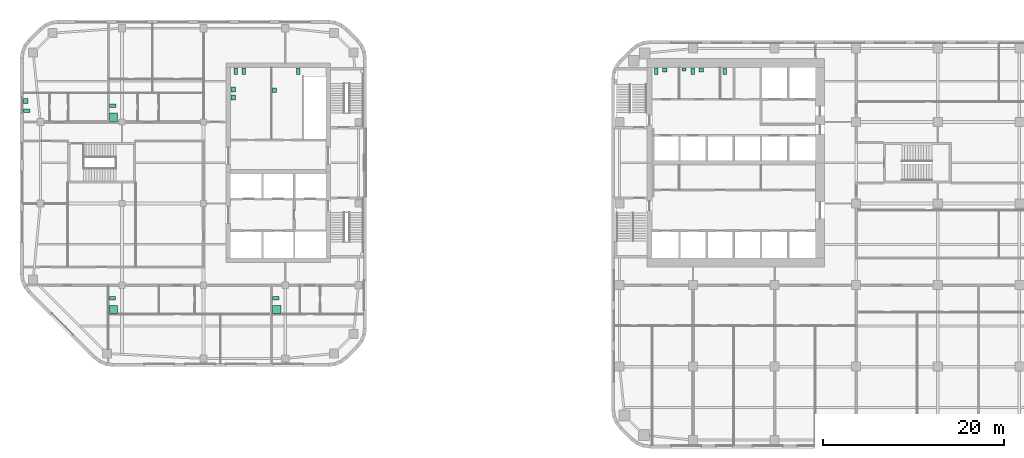
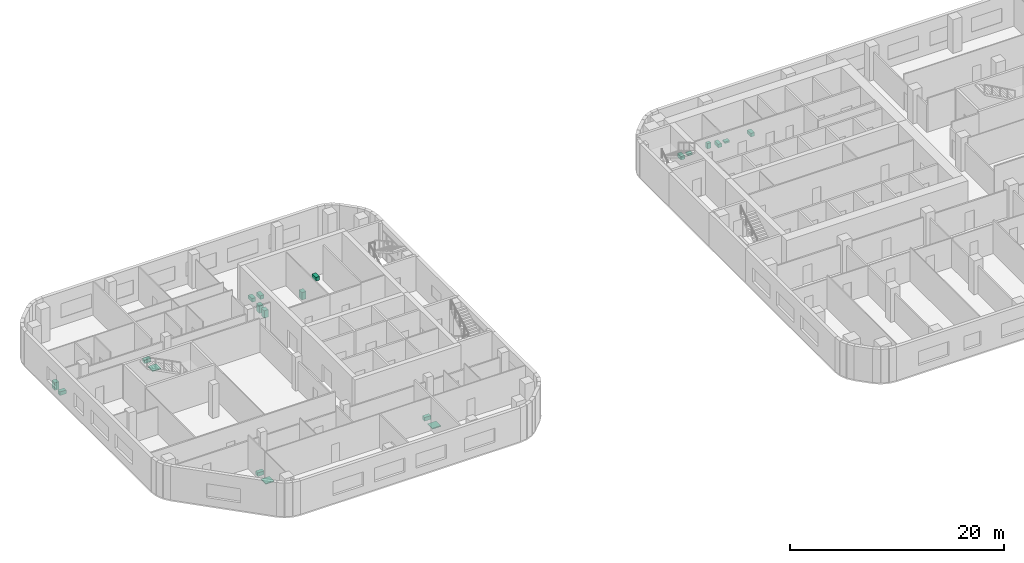
# One storey, part 16 of 16: 20 sanitary terminals.
"""IFC4 building model written with IfcOpenShell, lengths in metres."""

import ifcopenshell
import ifcopenshell.guid

model = None  # the IFC model being written
_history = None  # IfcOwnerHistory: only IFC2X3 demands one
_inside = {}  # id of a spatial element -> (the spatial element, [elements in it])
_under = {}  # id of a project, library or spatial element -> (it, [spatial elements below it])
_declared = {}  # id of a project -> (the project, [libraries it declares])
_typed = {}  # id of a type object -> (the type object, [elements of that type])
_made_of = {}  # id of a material, layer set ... -> (it, [elements and type objects made of it])


def new_model(schema):
    """Start an empty IFC model of exactly this schema.

    Asked for "IFC4X3", IfcOpenShell would pick the latest addendum, in which some entities
    have other attributes; the version numbers below select the first issue.
    IFC2X3 requires an IfcOwnerHistory on every rooted entity: one is made here for all.
    """
    global model, _history
    if schema == "IFC4X3":
        model = ifcopenshell.file(schema_version=(4, 3, 0, 0))
    else:
        model = ifcopenshell.file(schema=schema)
    _inside.clear()
    _under.clear()
    _declared.clear()
    _typed.clear()
    _made_of.clear()
    _history = None
    if model.schema == "IFC2X3":
        org = make("IfcOrganization", Name="unknown")
        user = make(
            "IfcPersonAndOrganization",
            ThePerson=make("IfcPerson", FamilyName="unknown"),
            TheOrganization=org,
        )
        app = make(
            "IfcApplication",
            ApplicationDeveloper=org,
            Version="unknown",
            ApplicationFullName="unknown",
            ApplicationIdentifier="unknown",
        )
        _history = make(
            "IfcOwnerHistory",
            OwningUser=user,
            OwningApplication=app,
            ChangeAction="ADDED",
            CreationDate=0,
        )
    return model


def make(cls, **values):
    """One entity of the class cls with the attributes given. An attribute that is None is left unset."""
    return model.create_entity(
        cls, **{name: value for name, value in values.items() if value is not None}
    )


def rooted(cls, **values):
    """An entity with a GlobalId (a new one), such as an element, a storey or a relation."""
    return make(cls, GlobalId=ifcopenshell.guid.new(), OwnerHistory=_history, **values)


def si_unit(unit_type, name, prefix=None):
    """IfcSIUnit, for example si_unit("LENGTHUNIT", "METRE", prefix="MILLI")."""
    return make("IfcSIUnit", UnitType=unit_type, Prefix=prefix, Name=name)


def assignment(units):
    """IfcUnitAssignment: the units of a project."""
    return None if units is None else make("IfcUnitAssignment", Units=units)


def point(xyz):
    """IfcCartesianPoint."""
    return None if xyz is None else make("IfcCartesianPoint", Coordinates=xyz)


def direction(xyz):
    """IfcDirection."""
    return None if xyz is None else make("IfcDirection", DirectionRatios=xyz)


def frame(location, z_axis=None, x_axis=None):
    """IfcAxis2Placement3D, a coordinate frame: its origin and axes. An axis left out is left unset."""
    return make(
        "IfcAxis2Placement3D",
        Location=point(location),
        Axis=direction(z_axis),
        RefDirection=direction(x_axis),
    )


def frame_2d(location, x_axis=None):
    """IfcAxis2Placement2D, a coordinate frame in the plane: its origin and x axis."""
    return make(
        "IfcAxis2Placement2D", Location=point(location), RefDirection=direction(x_axis)
    )


def origin():
    """The frame at (0, 0, 0) with its axes left unset."""
    return frame((0.0, 0.0, 0.0))


def origin_2d():
    """The frame at (0, 0) in the plane with its x axis left unset."""
    return frame_2d((0.0, 0.0))


def place(relative_to, where):
    """IfcLocalPlacement: puts the frame where relative to a parent placement (None: the world)."""
    return make(
        "IfcLocalPlacement", PlacementRelTo=relative_to, RelativePlacement=where
    )


def context(
    kind, dimensions, precision=None, world=None, true_north=None, identifier=None
):
    """IfcGeometricRepresentationContext, for example the 3D "Model" context."""
    return make(
        "IfcGeometricRepresentationContext",
        ContextIdentifier=identifier,
        ContextType=kind,
        CoordinateSpaceDimension=dimensions,
        Precision=precision,
        WorldCoordinateSystem=world,
        TrueNorth=true_north,
    )


def subcontext(parent, identifier, kind, view, scale=None):
    """IfcGeometricRepresentationSubContext, for example "Body" below "Model"."""
    return make(
        "IfcGeometricRepresentationSubContext",
        ContextIdentifier=identifier,
        ContextType=kind,
        ParentContext=parent,
        TargetScale=scale,
        TargetView=view,
    )


def project(units=None, contexts=None):
    """IfcProject with its units and contexts."""
    return rooted(
        "IfcProject",
        Name="project",
        RepresentationContexts=contexts,
        UnitsInContext=assignment(units),
    )


def spatial(cls, under=None, at=None, **own):
    """A site, building, storey or space (cls), placed at a placement, below another one or the project."""
    s = rooted(cls, ObjectPlacement=at, **own)
    if under is not None:
        _under.setdefault(under.id(), (under, []))[1].append(s)
    return s


def profile(cls, at=None, kind="AREA", **sizes):
    """A parametric profile (cls). Its sizes go by their IFC names, for example OverallWidth=200.0."""
    return make(cls, ProfileType=kind, Position=at, **sizes)


def rectangle(**sizes):
    """IfcRectangleProfileDef."""
    return profile("IfcRectangleProfileDef", **sizes)


def extrude(swept, where, along, depth):
    """IfcExtrudedAreaSolid: the profile swept, set in the frame where, extruded along a direction by depth."""
    return make(
        "IfcExtrudedAreaSolid",
        SweptArea=swept,
        Position=where,
        ExtrudedDirection=direction(along),
        Depth=depth,
    )


def shape(context_of_items, identifier, shape_type, items):
    """IfcShapeRepresentation: the items that make up one representation, for example the "Body"."""
    return make(
        "IfcShapeRepresentation",
        ContextOfItems=context_of_items,
        RepresentationIdentifier=identifier,
        RepresentationType=shape_type,
        Items=items,
    )


def material(Name=None, Category=None):
    """IfcMaterial."""
    return make("IfcMaterial", Name=Name, Category=Category)


def made_of(thing, what):
    """Note that an element or type object is made of a material, layer set ...; save() writes the relation."""
    if what is not None:
        _made_of.setdefault(what.id(), (what, []))[1].append(thing)
    return thing


def type_object(cls, material=None, **own):
    """A type object (cls), such as IfcWallType, which elements share."""
    return made_of(rooted(cls, **own), material)


def element(
    cls,
    number,
    at=None,
    inside=None,
    cuts=None,
    type_object=None,
    material=None,
    context=None,
    identifier="Body",
    shape_type=None,
    held_by="IfcProductDefinitionShape",
    body=None,
    shapes=None,
    **own,
):
    """One element of the class cls, such as IfcWall. Its Tag is "e" and its number.

    at: its placement. inside: the storey or other place that contains it. cuts: it is an
    opening in that element (IfcRelVoidsElement). A single representation is given by context,
    identifier, shape_type and body (its items); several are given by shapes. held_by: the class
    of the entity that holds the representations. save() writes the other relations.
    """
    e = rooted(cls, Tag="e%d" % number, ObjectPlacement=at, **own)
    if body is not None:
        shapes = [shape(context, identifier, shape_type, body)]
    if shapes is not None:
        e.Representation = make(held_by, Representations=shapes)
    if inside is not None:
        _inside.setdefault(inside.id(), (inside, []))[1].append(e)
    if cuts is not None:
        rooted(
            "IfcRelVoidsElement", RelatingBuildingElement=cuts, RelatedOpeningElement=e
        )
    if type_object is not None:
        _typed.setdefault(type_object.id(), (type_object, []))[1].append(e)
    return made_of(e, material)


def aggregate(whole, parts):
    """IfcRelAggregates: a whole, such as a stair, and the parts it consists of."""
    return rooted("IfcRelAggregates", RelatingObject=whole, RelatedObjects=parts)


def save(model, path):
    """Write the relations noted so far, then the file.

    IfcRelAggregates (storeys below a building ...), IfcRelContainedInSpatialStructure (elements
    in a storey), IfcRelDefinesByType, IfcRelAssociatesMaterial and IfcRelDeclares: one each for
    every whole, place, type object, material and project.
    """
    for whole, parts in _under.values():
        aggregate(whole, parts)
    for where, things in _inside.values():
        rooted(
            "IfcRelContainedInSpatialStructure",
            RelatedElements=things,
            RelatingStructure=where,
        )
    for kind, things in _typed.values():
        rooted("IfcRelDefinesByType", RelatedObjects=things, RelatingType=kind)
    for what, things in _made_of.values():
        rooted("IfcRelAssociatesMaterial", RelatedObjects=things, RelatingMaterial=what)
    for by, libraries in _declared.values():
        rooted("IfcRelDeclares", RelatingContext=by, RelatedDefinitions=libraries)
    model.write(path)


model = new_model("IFC4")

# Units and contexts
model_context = context("Model", 3, precision=1e-05, world=origin(), true_north=direction((0.0, 1.0)))
body_context = subcontext(model_context, "Body", "Model", "MODEL_VIEW")
ifc_project = project(units=[si_unit("LENGTHUNIT", "METRE"), si_unit("AREAUNIT", "SQUARE_METRE"), si_unit("VOLUMEUNIT", "CUBIC_METRE"), si_unit("PLANEANGLEUNIT", "RADIAN"), si_unit("MASSUNIT", "GRAM", prefix="KILO")], contexts=[model_context])

# Site, building, storey
site_placement = place(None, origin())
site = spatial("IfcSite", under=ifc_project, at=site_placement, CompositionType="ELEMENT")
building_placement = place(site_placement, origin())
building = spatial("IfcBuilding", under=site, at=building_placement, Name="Cinnabar Reach Civic Tower", CompositionType="ELEMENT")
storey_placement = place(building_placement, frame((0.0, 0.0, 83.0)))
storey = spatial("IfcBuildingStorey", under=building, at=storey_placement, Name="L19", CompositionType="ELEMENT", Elevation=83.0)

# Sanitary terminals
ifc_material_1 = material(Name="Vitreous china")
sanitary_terminal_type_1 = type_object("IfcSanitaryTerminalType", Name="T1 WC pan", PredefinedType="TOILETPAN", material=ifc_material_1)
for number, where, z_axis, x_axis, name in (
    (1, (4.95, 41.6, 0.0), (0.0, 0.0, 1.0), (1.0, 0.0, 0.0), "T1 WC pan 1907-1"),
    (2, (8.95, 41.6, 0.0), (0.0, 0.0, 1.0), (1.0, 0.0, 0.0), "T1 WC pan 1908-2"),
    (3, (12.5, 41.6, 0.0), (0.0, 0.0, 1.0), (1.0, 0.0, 0.0), "T1 WC pan 1909-1"),
):
    element("IfcSanitaryTerminal", number, at=place(storey_placement, frame(where, z_axis=z_axis, x_axis=x_axis)), inside=storey, type_object=sanitary_terminal_type_1, Name=name, PredefinedType="TOILETPAN", context=body_context, shape_type="SweptSolid", body=[
        extrude(rectangle(XDim=0.4, YDim=0.7, at=origin_2d()), origin(), (0.0, 0.0, 1.0), 0.4),
    ])
sanitary_terminal_type_2 = type_object("IfcSanitaryTerminalType", Name="T1 urinal", PredefinedType="URINAL", material=ifc_material_1)
sanitary_terminal_placement = place(storey_placement, frame((8.0, 41.775, 0.0), z_axis=(0.0, 0.0, 1.0), x_axis=(1.0, 0.0, 0.0)))
element("IfcSanitaryTerminal", 4, at=sanitary_terminal_placement, inside=storey, type_object=sanitary_terminal_type_2, Name="T1 urinal 1908-1", PredefinedType="URINAL", context=body_context, shape_type="SweptSolid", body=[
    extrude(rectangle(XDim=0.4, YDim=0.35, at=origin_2d()), origin(), (0.0, 0.0, 1.0), 0.6),
])
sanitary_terminal_type_3 = type_object("IfcSanitaryTerminalType", Name="T1 wash basin", PredefinedType="WASHHANDBASIN", material=ifc_material_1)
for number, where, z_axis, x_axis, name in (
    (5, (5.9, 41.74, 0.0), (0.0, 0.0, 1.0), (1.0, 0.0, 0.0), "T1 wash basin 1907-2"),
    (6, (9.9, 41.74, 0.0), (0.0, 0.0, 1.0), (1.0, 0.0, 0.0), "T1 wash basin 1908-3"),
):
    element("IfcSanitaryTerminal", number, at=place(storey_placement, frame(where, z_axis=z_axis, x_axis=x_axis)), inside=storey, type_object=sanitary_terminal_type_3, Name=name, PredefinedType="WASHHANDBASIN", context=body_context, shape_type="SweptSolid", body=[
        extrude(rectangle(XDim=0.5, YDim=0.42, at=origin_2d()), origin(), (0.0, 0.0, 1.0), 0.2),
    ])
ifc_material_2 = material(Name="Acrylic tray")
sanitary_terminal_type_4 = type_object("IfcSanitaryTerminalType", Name="T2 Shower tray", PredefinedType="SHOWER", material=ifc_material_2)
for number, where, z_axis, x_axis, name in (
    (7, (-54.95, 15.3, 0.0), (0.0, 0.0, 1.0), (1.0, 0.0, 0.0), "Shower tray"),
    (8, (-36.925, 15.3, 0.0), (0.0, 0.0, 1.0), (1.0, 0.0, 0.0), "Shower tray"),
    (9, (-54.925, 36.525, 0.0), (0.0, 0.0, 1.0), (1.0, 0.0, 0.0), "Shower tray"),
):
    element("IfcSanitaryTerminal", number, at=place(storey_placement, frame(where, z_axis=z_axis, x_axis=x_axis)), inside=storey, type_object=sanitary_terminal_type_4, Name=name, PredefinedType="SHOWER", context=body_context, shape_type="SweptSolid", body=[
        extrude(rectangle(XDim=0.9, YDim=0.9, at=origin_2d()), origin(), (0.0, 0.0, 1.0), 0.1),
    ])
sanitary_terminal_type_5 = type_object("IfcSanitaryTerminalType", Name="T2 WC pan", PredefinedType="TOILETPAN", material=ifc_material_1)
for number, where, z_axis, x_axis, name in (
    (10, (-41.45, 41.6, 0.0), (0.0, 0.0, 1.0), (1.0, 0.0, 0.0), "WC pan"),
    (11, (-40.55, 41.6, 0.0), (0.0, 0.0, 1.0), (1.0, 0.0, 0.0), "WC pan"),
    (12, (-34.55, 41.6, 0.0), (0.0, 0.0, 1.0), (1.0, 0.0, 0.0), "WC pan"),
):
    element("IfcSanitaryTerminal", number, at=place(storey_placement, frame(where, z_axis=z_axis, x_axis=x_axis)), inside=storey, type_object=sanitary_terminal_type_5, Name=name, PredefinedType="TOILETPAN", context=body_context, shape_type="SweptSolid", body=[
        extrude(rectangle(XDim=0.4, YDim=0.7, at=origin_2d()), origin(), (0.0, 0.0, 1.0), 0.42),
    ])
for number, where, z_axis, x_axis, name in (
    (13, (-55.05, 16.55, 0.0), (0.0, 0.0, 1.0), (1.0, 0.0, 0.0), "WC pan"),
    (14, (-37.025, 16.55, 0.0), (0.0, 0.0, 1.0), (1.0, 0.0, 0.0), "WC pan"),
    (15, (-64.49, 37.25, 0.0), (0.0, 0.0, 1.0), (1.0, 0.0, 0.0), "WC pan"),
    (16, (-55.025, 37.775, 0.0), (0.0, 0.0, 1.0), (1.0, 0.0, 0.0), "WC pan"),
):
    element("IfcSanitaryTerminal", number, at=place(storey_placement, frame(where, z_axis=z_axis, x_axis=x_axis)), inside=storey, type_object=sanitary_terminal_type_5, Name=name, PredefinedType="TOILETPAN", context=body_context, shape_type="SweptSolid", body=[
        extrude(rectangle(XDim=0.7, YDim=0.4, at=origin_2d()), origin(), (0.0, 0.0, 1.0), 0.42),
    ])
sanitary_terminal_type_6 = type_object("IfcSanitaryTerminalType", Name="T2 Wash basin", PredefinedType="WASHHANDBASIN", material=ifc_material_1)
for number, where, z_axis, x_axis, name in (
    (17, (-41.725, 39.6, 0.0), (0.0, 0.0, 1.0), (1.0, 0.0, 0.0), "Wash basin"),
    (18, (-41.725, 38.7, 0.0), (0.0, 0.0, 1.0), (1.0, 0.0, 0.0), "Wash basin"),
    (19, (-37.175, 39.5, 0.0), (0.0, 0.0, 1.0), (1.0, 0.0, 0.0), "Wash basin"),
    (20, (-64.615, 38.3, 0.0), (0.0, 0.0, 1.0), (1.0, 0.0, 0.0), "Wash basin"),
):
    element("IfcSanitaryTerminal", number, at=place(storey_placement, frame(where, z_axis=z_axis, x_axis=x_axis)), inside=storey, type_object=sanitary_terminal_type_6, Name=name, PredefinedType="WASHHANDBASIN", context=body_context, shape_type="SweptSolid", body=[
        extrude(rectangle(XDim=0.45, YDim=0.55, at=origin_2d()), origin(), (0.0, 0.0, 1.0), 0.85),
    ])

save(model, "model.ifc")
